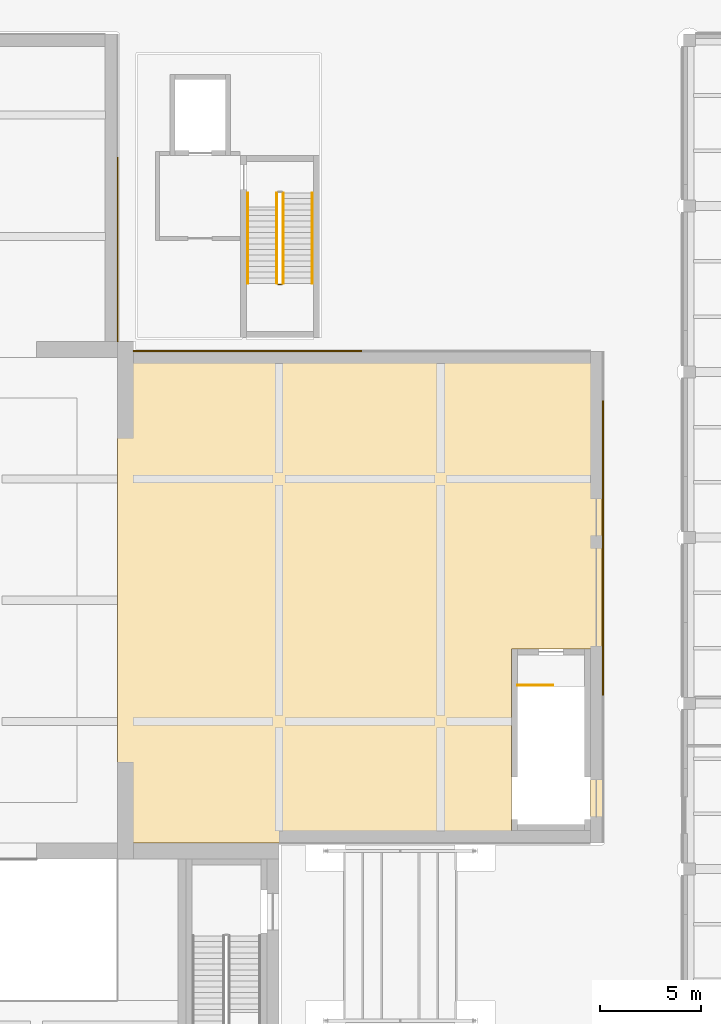
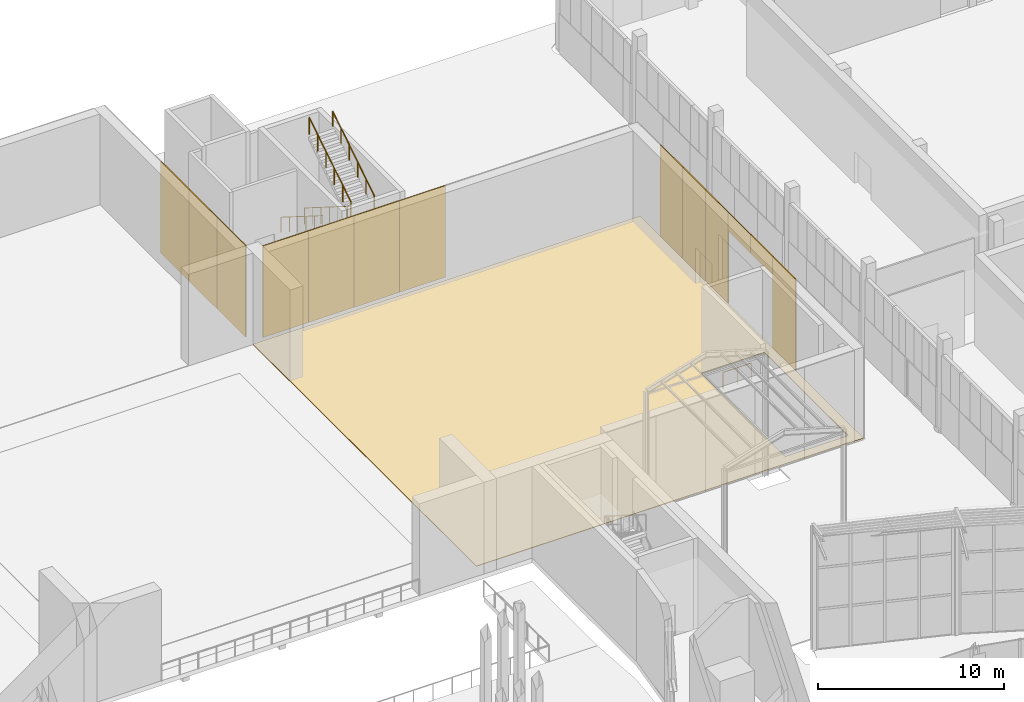
# One storey, part 138 of 155: 14 coverings, 6 railings.
"""IFC4 building model written with IfcOpenShell, lengths in metres."""

from ifc_helpers import new_model, si_unit, direction, frame, origin, origin_2d, place, context, subcontext, project, spatial, polyline, rectangle, circle, outline, extrude, material, layer, layer_set, type_object, element, save


model = new_model("IFC4")

# Units and contexts
model_context = context("Model", 3, precision=1e-05, world=origin(), true_north=direction((0.0, 1.0)))
body_context = subcontext(model_context, "Body", "Model", "MODEL_VIEW")
ifc_project = project(units=[si_unit("LENGTHUNIT", "METRE"), si_unit("AREAUNIT", "SQUARE_METRE"), si_unit("VOLUMEUNIT", "CUBIC_METRE"), si_unit("PLANEANGLEUNIT", "RADIAN"), si_unit("MASSUNIT", "GRAM", prefix="KILO")], contexts=[model_context])

# Site, building, storey
site_placement = place(None, origin())
site = spatial("IfcSite", under=ifc_project, at=site_placement, CompositionType="ELEMENT")
building_placement = place(site_placement, origin())
building = spatial("IfcBuilding", under=site, at=building_placement, Name="Lunette Opera House", CompositionType="ELEMENT")
storey_placement = place(building_placement, origin())
storey = spatial("IfcBuildingStorey", under=building, at=storey_placement, Name="L00", CompositionType="ELEMENT", Elevation=0.0)

# Railings
ifc_material_1 = material(Name="Steel S355", Category="steel")
railing_type_1 = type_object("IfcRailingType", Name="STAIR GUARD 1100", PredefinedType="GUARDRAIL", material=ifc_material_1)
railing_1_placement = place(storey_placement, frame((115.89990234375, 128.14990234375, 0.176513671875)))
element("IfcRailing", 1, at=railing_1_placement, inside=storey, type_object=railing_type_1, Name="L00 ST12 stair guard 1", PredefinedType="GUARDRAIL", context=body_context, shape_type="SweptSolid", body=[
    extrude(circle(Radius=0.02392578125, at=origin_2d()), frame((0.0, 0.0, 1.076171875), z_axis=(0.0, -0.845997938375, 0.533186166611), x_axis=(1.0, 0.0, 0.0)), (0.0, 0.0, 1.0), 5.29541015625),
    extrude(circle(Radius=0.02099609375, at=origin_2d()), origin(), (0.0, 0.0, 1.0), 1.052001953125),
    extrude(circle(Radius=0.02099609375, at=origin_2d()), frame((0.0, -0.89599609375, 0.564697265625)), (0.0, 0.0, 1.0), 1.052001953125),
    extrude(circle(Radius=0.02099609375, at=origin_2d()), frame((0.0, -1.7919921875, 1.12939453125)), (0.0, 0.0, 1.0), 1.052001953125),
    extrude(circle(Radius=0.02099609375, at=origin_2d()), frame((0.0, -2.68798828125, 1.694091796875)), (0.0, 0.0, 1.0), 1.052001953125),
    extrude(circle(Radius=0.02099609375, at=origin_2d()), frame((0.0, -3.583984375, 2.2587890625)), (0.0, 0.0, 1.0), 1.052001953125),
    extrude(circle(Radius=0.02099609375, at=origin_2d()), frame((0.0, -4.47998046875, 2.823486328125)), (0.0, 0.0, 1.0), 1.052001953125),
])
railing_2_placement = place(storey_placement, frame((115.949951171875, 123.6201171875, 3.0)))
element("IfcRailing", 2, at=railing_2_placement, inside=storey, type_object=railing_type_1, Name="L00 ST12 stair guard 2", PredefinedType="GUARDRAIL", context=body_context, shape_type="SweptSolid", body=[
    extrude(circle(Radius=0.02392578125, at=origin_2d()), frame((0.0, 0.0, 1.076171875), z_axis=(1.0, 0.0, 0.0), x_axis=(0.0, 1.0, 0.0)), (0.0, 0.0, 1.0), 0.199951171875),
    extrude(circle(Radius=0.02099609375, at=origin_2d()), origin(), (0.0, 0.0, 1.0), 1.052001953125),
    extrude(circle(Radius=0.02099609375, at=origin_2d()), frame((0.199951171875, 0.0, 0.0)), (0.0, 0.0, 1.0), 1.052001953125),
])
railing_3_placement = place(storey_placement, frame((116.199951171875, 123.669921875, 3.176513671875)))
element("IfcRailing", 3, at=railing_3_placement, inside=storey, type_object=railing_type_1, Name="L00 ST12 stair guard 3", PredefinedType="GUARDRAIL", context=body_context, shape_type="SweptSolid", body=[
    extrude(circle(Radius=0.02392578125, at=origin_2d()), frame((0.0, 0.0, 1.076171875), z_axis=(0.0, 0.845997938375, 0.533186166611), x_axis=(-1.0, 0.0, 0.0)), (0.0, 0.0, 1.0), 5.29541015625),
    extrude(circle(Radius=0.02099609375, at=origin_2d()), origin(), (0.0, 0.0, 1.0), 1.052001953125),
    extrude(circle(Radius=0.02099609375, at=origin_2d()), frame((0.0, 0.89599609375, 0.564697265625)), (0.0, 0.0, 1.0), 1.052001953125),
    extrude(circle(Radius=0.02099609375, at=origin_2d()), frame((0.0, 1.7919921875, 1.12939453125)), (0.0, 0.0, 1.0), 1.052001953125),
    extrude(circle(Radius=0.02099609375, at=origin_2d()), frame((0.0, 2.68798828125, 1.694091796875)), (0.0, 0.0, 1.0), 1.052001953125),
    extrude(circle(Radius=0.02099609375, at=origin_2d()), frame((0.0, 3.583984375, 2.2587890625)), (0.0, 0.0, 1.0), 1.052001953125),
    extrude(circle(Radius=0.02099609375, at=origin_2d()), frame((0.0, 4.47998046875, 2.823486328125)), (0.0, 0.0, 1.0), 1.052001953125),
])
railing_4_placement = place(storey_placement, frame((127.800048828125, 103.800048828125, 0.0)))
element("IfcRailing", 4, at=railing_4_placement, inside=storey, type_object=railing_type_1, Name="L00 ST14 top well guard 1", PredefinedType="GUARDRAIL", context=body_context, shape_type="SweptSolid", body=[
    extrude(circle(Radius=0.02392578125, at=origin_2d()), frame((0.0, 0.0, 1.076171875), z_axis=(1.0, 0.0, 0.0), x_axis=(0.0, 1.0, 0.0)), (0.0, 0.0, 1.0), 1.75),
    extrude(circle(Radius=0.02099609375, at=origin_2d()), origin(), (0.0, 0.0, 1.0), 1.052001953125),
    extrude(circle(Radius=0.02099609375, at=origin_2d()), frame((0.875, 0.0, 0.0)), (0.0, 0.0, 1.0), 1.052001953125),
    extrude(circle(Radius=0.02099609375, at=origin_2d()), frame((1.75, 0.0, 0.0)), (0.0, 0.0, 1.0), 1.052001953125),
])
ifc_material_2 = material(Name="Steel S355", Category="steel")
railing_type_2 = type_object("IfcRailingType", Name="STAIR HANDRAIL 1000", PredefinedType="HANDRAIL", material=ifc_material_2)
railing_5_placement = place(storey_placement, frame((114.449951171875, 128.14990234375, 0.176513671875)))
element("IfcRailing", 5, at=railing_5_placement, inside=storey, type_object=railing_type_2, Name="L00 ST12 stair handrail 1", PredefinedType="HANDRAIL", context=body_context, shape_type="SweptSolid", body=[
    extrude(circle(Radius=0.02392578125, at=origin_2d()), frame((0.0, 0.0, 0.97607421875), z_axis=(0.0, -0.845997938375, 0.533186166611), x_axis=(1.0, 0.0, 0.0)), (0.0, 0.0, 1.0), 5.29541015625),
    extrude(circle(Radius=0.02099609375, at=origin_2d()), origin(), (0.0, 0.0, 1.0), 0.951904296875),
    extrude(circle(Radius=0.02099609375, at=origin_2d()), frame((0.0, -0.89599609375, 0.564697265625)), (0.0, 0.0, 1.0), 0.951904296875),
    extrude(circle(Radius=0.02099609375, at=origin_2d()), frame((0.0, -1.7919921875, 1.12939453125)), (0.0, 0.0, 1.0), 0.951904296875),
    extrude(circle(Radius=0.02099609375, at=origin_2d()), frame((0.0, -2.68798828125, 1.694091796875)), (0.0, 0.0, 1.0), 0.951904296875),
    extrude(circle(Radius=0.02099609375, at=origin_2d()), frame((0.0, -3.583984375, 2.2587890625)), (0.0, 0.0, 1.0), 0.951904296875),
    extrude(circle(Radius=0.02099609375, at=origin_2d()), frame((0.0, -4.47998046875, 2.823486328125)), (0.0, 0.0, 1.0), 0.951904296875),
])
railing_6_placement = place(storey_placement, frame((117.64990234375, 123.669921875, 3.176513671875)))
element("IfcRailing", 6, at=railing_6_placement, inside=storey, type_object=railing_type_2, Name="L00 ST12 stair handrail 2", PredefinedType="HANDRAIL", context=body_context, shape_type="SweptSolid", body=[
    extrude(circle(Radius=0.02392578125, at=origin_2d()), frame((0.0, 0.0, 0.97607421875), z_axis=(0.0, 0.845997938375, 0.533186166611), x_axis=(-1.0, 0.0, 0.0)), (0.0, 0.0, 1.0), 5.29541015625),
    extrude(circle(Radius=0.02099609375, at=origin_2d()), origin(), (0.0, 0.0, 1.0), 0.951904296875),
    extrude(circle(Radius=0.02099609375, at=origin_2d()), frame((0.0, 0.89599609375, 0.564697265625)), (0.0, 0.0, 1.0), 0.951904296875),
    extrude(circle(Radius=0.02099609375, at=origin_2d()), frame((0.0, 1.7919921875, 1.12939453125)), (0.0, 0.0, 1.0), 0.951904296875),
    extrude(circle(Radius=0.02099609375, at=origin_2d()), frame((0.0, 2.68798828125, 1.694091796875)), (0.0, 0.0, 1.0), 0.951904296875),
    extrude(circle(Radius=0.02099609375, at=origin_2d()), frame((0.0, 3.583984375, 2.2587890625)), (0.0, 0.0, 1.0), 0.951904296875),
    extrude(circle(Radius=0.02099609375, at=origin_2d()), frame((0.0, 4.47998046875, 2.823486328125)), (0.0, 0.0, 1.0), 0.951904296875),
])

# Coverings
ifc_material_3 = material(Name="Aluminium standing seam cladding", Category="aluminium")
ifc_layer_1 = layer(ifc_material_3, 0.06005859375)
ifc_layer_set_1 = layer_set([ifc_layer_1], Name="Aluminium standing seam cladding")
covering_type_1 = type_object("IfcCoveringType", Name="STANDING SEAM CLADDING 60", PredefinedType="CLADDING", material=ifc_layer_set_1)
covering_1_placement = place(storey_placement, frame((132.030029296875, 104.531005859375, 0.0), z_axis=(0.0, 0.0, 1.0), x_axis=(0.0, 1.0, 0.0)))
element("IfcCovering", 7, at=covering_1_placement, inside=storey, type_object=covering_type_1, Name="Standing seam cladding SE-E-1 L00 03", PredefinedType="CLADDING", context=body_context, shape_type="SweptSolid", body=[
    extrude(rectangle(XDim=2.43798828125, YDim=0.06005859375, at=origin_2d()), origin(), (0.0, 0.0, 1.0), 6.0),
])
for number, where, z_axis, x_axis, name in (
    (8, (132.030029296875, 106.949951171875, 4.7998046875), (0.0, 0.0, 1.0), (0.0, 1.0, 0.0), "Standing seam cladding SE-E-1 L00 10"),
    (9, (132.030029296875, 109.35009765625, 4.7998046875), (0.0, 0.0, 1.0), (0.0, 1.0, 0.0), "Standing seam cladding SE-E-1 L00 11"),
):
    element("IfcCovering", number, at=place(storey_placement, frame(where, z_axis=z_axis, x_axis=x_axis)), inside=storey, type_object=covering_type_1, Name=name, PredefinedType="CLADDING", context=body_context, shape_type="SweptSolid", body=[
        extrude(rectangle(XDim=2.39990234375, YDim=0.06005859375, at=origin_2d()), origin(), (0.0, 0.0, 1.0), 1.199951171875),
    ])
covering_2_placement = place(storey_placement, frame((132.030029296875, 111.76904296875, 0.0), z_axis=(0.0, 0.0, 1.0), x_axis=(0.0, 1.0, 0.0)))
element("IfcCovering", 10, at=covering_2_placement, inside=storey, type_object=covering_type_1, Name="Standing seam cladding SE-E-1 L00 20", PredefinedType="CLADDING", context=body_context, shape_type="SweptSolid", body=[
    extrude(rectangle(XDim=2.43701171875, YDim=0.06005859375, at=origin_2d()), origin(), (0.0, 0.0, 1.0), 6.0),
])
for number, where, z_axis, x_axis, name in (
    (11, (132.030029296875, 114.2060546875, 0.0), (0.0, 0.0, 1.0), (0.0, 1.0, 0.0), "Standing seam cladding SE-E-1 L00 21"),
    (12, (132.030029296875, 116.64404296875, 0.0), (0.0, 0.0, 1.0), (0.0, 1.0, 0.0), "Standing seam cladding SE-E-1 L00 22"),
):
    element("IfcCovering", number, at=place(storey_placement, frame(where, z_axis=z_axis, x_axis=x_axis)), inside=storey, type_object=covering_type_1, Name=name, PredefinedType="CLADDING", context=body_context, shape_type="SweptSolid", body=[
        extrude(rectangle(XDim=2.43798828125, YDim=0.06005859375, at=origin_2d()), origin(), (0.0, 0.0, 1.0), 6.0),
    ])
for number, where, z_axis, x_axis, name in (
    (13, (110.2119140625, 120.330078125, 0.0), (0.0, 0.0, 1.0), (1.0, 0.0, 0.0), "Standing seam cladding SE-N-1 L00 00"),
    (14, (113.037109375, 120.330078125, 0.0), (0.0, 0.0, 1.0), (1.0, 0.0, 0.0), "Standing seam cladding SE-N-1 L00 01"),
    (15, (115.862060546875, 120.330078125, 0.0), (0.0, 0.0, 1.0), (1.0, 0.0, 0.0), "Standing seam cladding SE-N-1 L00 02"),
    (16, (118.68798828125, 120.330078125, 0.0), (0.0, 0.0, 1.0), (1.0, 0.0, 0.0), "Standing seam cladding SE-N-1 L00 03"),
):
    element("IfcCovering", number, at=place(storey_placement, frame(where, z_axis=z_axis, x_axis=x_axis)), inside=storey, type_object=covering_type_1, Name=name, PredefinedType="CLADDING", context=body_context, shape_type="SweptSolid", body=[
        extrude(rectangle(XDim=2.824951171875, YDim=0.06005859375, at=origin_2d()), origin(), (0.0, 0.0, 1.0), 6.0),
    ])
for number, where, z_axis, x_axis, name in (
    (17, (108.030029296875, 122.320068359375, 0.0), (0.0, 0.0, 1.0), (0.0, 1.0, 0.0), "Standing seam cladding SR-E-1 L00 00"),
    (18, (108.030029296875, 125.360107421875, 0.0), (0.0, 0.0, 1.0), (0.0, 1.0, 0.0), "Standing seam cladding SR-E-1 L00 01"),
    (19, (108.030029296875, 128.39990234375, 0.0), (0.0, 0.0, 1.0), (0.0, 1.0, 0.0), "Standing seam cladding SR-E-1 L00 02"),
):
    element("IfcCovering", number, at=place(storey_placement, frame(where, z_axis=z_axis, x_axis=x_axis)), inside=storey, type_object=covering_type_1, Name=name, PredefinedType="CLADDING", context=body_context, shape_type="SweptSolid", body=[
        extrude(rectangle(XDim=3.0400390625, YDim=0.06005859375, at=origin_2d()), origin(), (0.0, 0.0, 1.0), 6.0),
    ])
ifc_material_4 = material(Name="Timber", Category="wood")
ifc_layer_2 = layer(ifc_material_4, 0.0400390625)
ifc_layer_set_2 = layer_set([ifc_layer_2], Name="Timber")
covering_type_2 = type_object("IfcCoveringType", Name="TIMBER FLOOR FINISH 40", PredefinedType="FLOORING", material=ifc_layer_set_2)
covering_3_placement = place(storey_placement, origin())
element("IfcCovering", 20, at=covering_3_placement, inside=storey, type_object=covering_type_2, Name="Floor finish Side Stage East", PredefinedType="FLOORING", context=body_context, shape_type="SweptSolid", body=[
    extrude(outline(polyline([(108.0, 120.0), (132.0, 120.0), (132.0, 96.0), (108.0, 96.0), (108.0, 120.0)]), holes=[polyline([(127.5, 96.60009765625), (131.39990234375, 96.60009765625), (131.39990234375, 105.60009765625), (127.5, 105.60009765625), (127.5, 96.60009765625)])]), origin(), (0.0, 0.0, 1.0), 0.0400390625),
])

save(model, "model.ifc")
